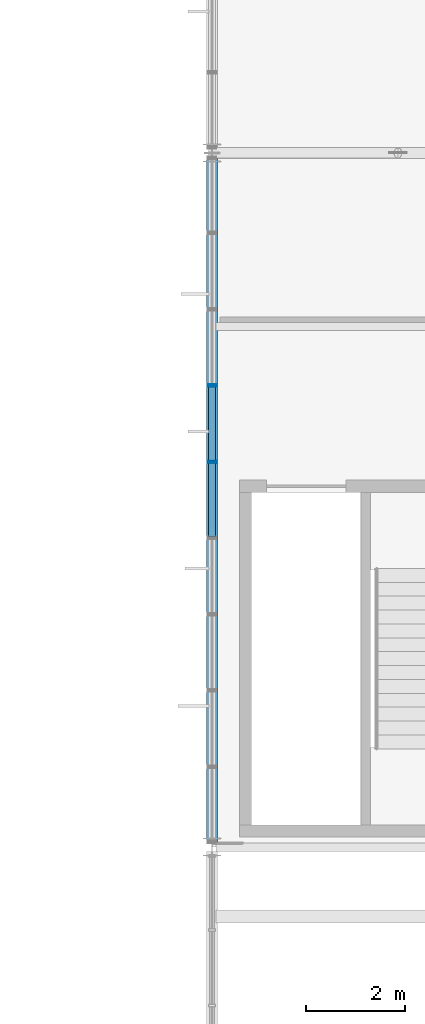
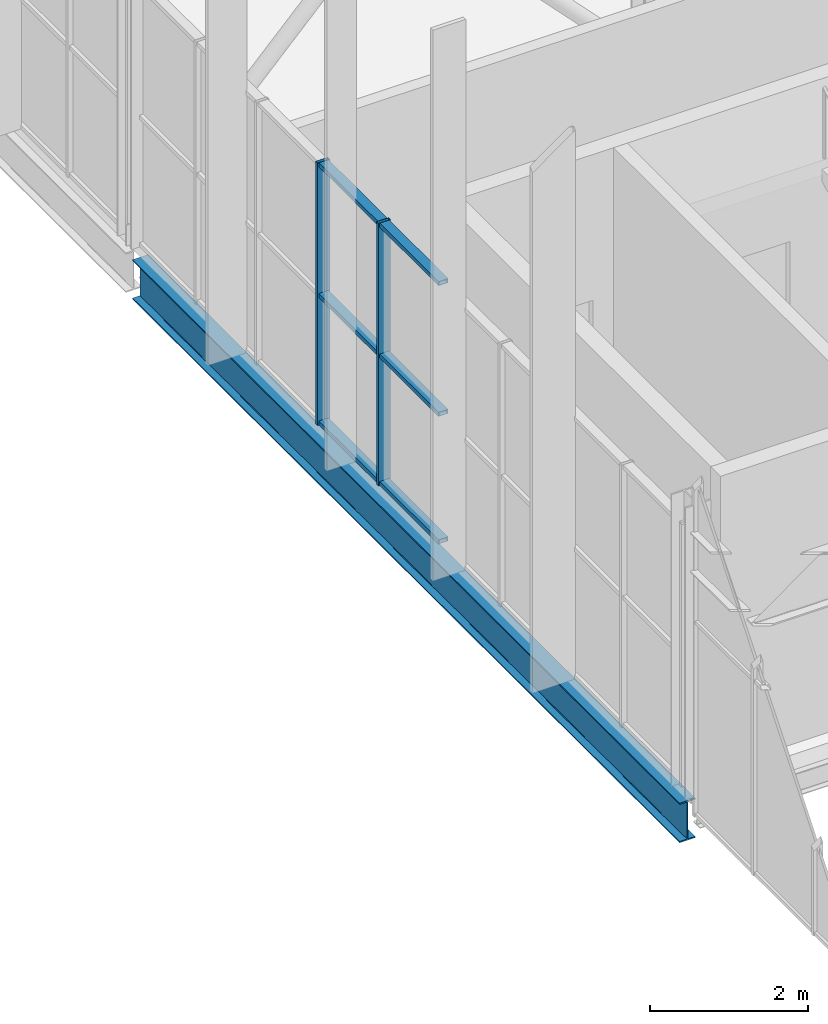
# One storey, part 75 of 324: 8 members, 1 beam, 1 element without a shape of its own.
"""IFC4 building model written with IfcOpenShell, lengths in metres."""

from ifc_helpers import new_model, si_unit, direction, frame, origin, origin_2d, place, context, subcontext, project, spatial, hollow_rectangle, i_section, extrude, material, layer, layer_set, material_profile, profile_set, type_object, element, aggregate, save


model = new_model("IFC4")

# Units and contexts
model_context = context("Model", 3, precision=1e-05, world=origin(), true_north=direction((0.0, 1.0)))
body_context = subcontext(model_context, "Body", "Model", "MODEL_VIEW")
ifc_project = project(units=[si_unit("LENGTHUNIT", "METRE"), si_unit("AREAUNIT", "SQUARE_METRE"), si_unit("VOLUMEUNIT", "CUBIC_METRE"), si_unit("PLANEANGLEUNIT", "RADIAN"), si_unit("MASSUNIT", "GRAM", prefix="KILO")], contexts=[model_context])

# Site, building, storey
site_placement = place(None, origin())
site = spatial("IfcSite", under=ifc_project, at=site_placement, CompositionType="ELEMENT")
building_placement = place(site_placement, origin())
building = spatial("IfcBuilding", under=site, at=building_placement, Name="Solvenia Promenade Tram Depot", CompositionType="ELEMENT")
storey_placement = place(building_placement, frame((0.0, 0.0, 4.5)))
storey = spatial("IfcBuildingStorey", under=building, at=storey_placement, Name="L01", CompositionType="ELEMENT", Elevation=4.5)

# Curtain wall, members
ifc_material_1 = material(Name="Anodized aluminium AW-6063 T6", Category="aluminium")
ifc_layer = layer(ifc_material_1, 0.14990234375, Name="Anodized aluminium AW-6063 T6", Category="aluminium")
ifc_layer_set = layer_set([ifc_layer], Name="Anodized aluminium AW-6063 T6")
curtain_wall_type = type_object("IfcCurtainWallType", Name="CW-Court-1500", PredefinedType="NOTDEFINED", material=ifc_layer_set)
curtain_wall_placement = place(storey_placement, origin())
curtain_wall = element("IfcCurtainWall", 1, at=curtain_wall_placement, inside=storey, type_object=curtain_wall_type, Name="Curtain Wall CW-V2W-L1-1", PredefinedType="NOTDEFINED")
ifc_material_profile_1 = material_profile(ifc_material_1, hollow_rectangle(XDim=0.179931640625, YDim=0.050048828125, WallThickness=0.00390625, at=origin_2d()), Name="ALU-M2", Category="aluminium")
ifc_profile_set_1 = profile_set([ifc_material_profile_1], Name="Anodized aluminium AW-6063 T6")
member_type_1 = type_object("IfcMemberType", Name="CWM-Mullion-2", PredefinedType="MULLION", material=ifc_profile_set_1)
member_1_placement = place(storey_placement, frame((105.0, 45.768798828125, 0.0), z_axis=(0.0, 0.0, 1.0), x_axis=(-1.0, 0.0, 0.0)))
member_1 = element("IfcMember", 2, at=member_1_placement, type_object=member_type_1, Name="CW-5 mullion 6", PredefinedType="MULLION", context=body_context, shape_type="SweptSolid", body=[
    extrude(hollow_rectangle(XDim=0.179931640625, YDim=0.050048828125, WallThickness=0.00390625, at=origin_2d()), origin(), (0.0, 0.0, 1.0), 4.050048828125),
])
member_2_placement = place(storey_placement, frame((105.0, 47.306640625, 0.0), z_axis=(0.0, 0.0, 1.0), x_axis=(-1.0, 0.0, 0.0)))
member_2 = element("IfcMember", 3, at=member_2_placement, type_object=member_type_1, Name="CW-5 mullion 7", PredefinedType="MULLION", context=body_context, shape_type="SweptSolid", body=[
    extrude(hollow_rectangle(XDim=0.179931640625, YDim=0.050048828125, WallThickness=0.00390625, at=origin_2d()), origin(), (0.0, 0.0, 1.0), 4.050048828125),
])
ifc_material_profile_2 = material_profile(ifc_material_1, hollow_rectangle(XDim=0.139892578125, YDim=0.06494140625, WallThickness=0.00390625, at=origin_2d()), Name="ALU-T2", Category="aluminium")
ifc_profile_set_2 = profile_set([ifc_material_profile_2], Name="Anodized aluminium AW-6063 T6")
member_type_2 = type_object("IfcMemberType", Name="CWT-Transom-2", PredefinedType="USERDEFINED", material=ifc_profile_set_2)
member_3_placement = place(storey_placement, frame((105.0, 44.256103515625, 0.032470703125), z_axis=(0.0, 1.0, 0.0), x_axis=(-1.0, 0.0, 0.0)))
member_3 = element("IfcMember", 4, at=member_3_placement, type_object=member_type_2, Name="CW-5 transom 5.1", ObjectType="TRANSOM", PredefinedType="USERDEFINED", context=body_context, shape_type="SweptSolid", body=[
    extrude(hollow_rectangle(XDim=0.139892578125, YDim=0.06494140625, WallThickness=0.00390625, at=origin_2d()), origin(), (0.0, 0.0, 1.0), 1.48779296875),
])
member_4_placement = place(storey_placement, frame((105.0, 44.256103515625, 2.0), z_axis=(0.0, 1.0, 0.0), x_axis=(-1.0, 0.0, 0.0)))
member_4 = element("IfcMember", 5, at=member_4_placement, type_object=member_type_2, Name="CW-5 transom 5.2", ObjectType="TRANSOM", PredefinedType="USERDEFINED", context=body_context, shape_type="SweptSolid", body=[
    extrude(hollow_rectangle(XDim=0.139892578125, YDim=0.06494140625, WallThickness=0.00390625, at=origin_2d()), origin(), (0.0, 0.0, 1.0), 1.48779296875),
])
member_5_placement = place(storey_placement, frame((105.0, 44.256103515625, 4.017578125), z_axis=(0.0, 1.0, 0.0), x_axis=(-1.0, 0.0, 0.0)))
member_5 = element("IfcMember", 6, at=member_5_placement, type_object=member_type_2, Name="CW-5 transom 5.3", ObjectType="TRANSOM", PredefinedType="USERDEFINED", context=body_context, shape_type="SweptSolid", body=[
    extrude(hollow_rectangle(XDim=0.139892578125, YDim=0.06494140625, WallThickness=0.00390625, at=origin_2d()), origin(), (0.0, 0.0, 1.0), 1.48779296875),
])
member_6_placement = place(storey_placement, frame((105.0, 45.7939453125, 0.032470703125), z_axis=(0.0, 1.0, 0.0), x_axis=(-1.0, 0.0, 0.0)))
member_6 = element("IfcMember", 7, at=member_6_placement, type_object=member_type_2, Name="CW-5 transom 6.1", ObjectType="TRANSOM", PredefinedType="USERDEFINED", context=body_context, shape_type="SweptSolid", body=[
    extrude(hollow_rectangle(XDim=0.139892578125, YDim=0.06494140625, WallThickness=0.00390625, at=origin_2d()), origin(), (0.0, 0.0, 1.0), 1.48779296875),
])
member_7_placement = place(storey_placement, frame((105.0, 45.7939453125, 2.0), z_axis=(0.0, 1.0, 0.0), x_axis=(-1.0, 0.0, 0.0)))
member_7 = element("IfcMember", 8, at=member_7_placement, type_object=member_type_2, Name="CW-5 transom 6.2", ObjectType="TRANSOM", PredefinedType="USERDEFINED", context=body_context, shape_type="SweptSolid", body=[
    extrude(hollow_rectangle(XDim=0.139892578125, YDim=0.06494140625, WallThickness=0.00390625, at=origin_2d()), origin(), (0.0, 0.0, 1.0), 1.48779296875),
])
member_8_placement = place(storey_placement, frame((105.0, 45.7939453125, 4.017578125), z_axis=(0.0, 1.0, 0.0), x_axis=(-1.0, 0.0, 0.0)))
member_8 = element("IfcMember", 9, at=member_8_placement, type_object=member_type_2, Name="CW-5 transom 6.3", ObjectType="TRANSOM", PredefinedType="USERDEFINED", context=body_context, shape_type="SweptSolid", body=[
    extrude(hollow_rectangle(XDim=0.139892578125, YDim=0.06494140625, WallThickness=0.00390625, at=origin_2d()), origin(), (0.0, 0.0, 1.0), 1.48779296875),
])
aggregate(curtain_wall, [member_1, member_2, member_3, member_4, member_5, member_6, member_7, member_8])

# Beam
ifc_material_2 = material(Name="Structural steel ASTM A992 Gr. 50", Category="steel")
ifc_material_profile_3 = material_profile(ifc_material_2, i_section(OverallWidth=0.22900390625, OverallDepth=0.612060546875, WebThickness=0.011962890625, FlangeThickness=0.01953125, FilletRadius=0.014892578125, at=origin_2d()), Name="W610x125", Category="steel")
ifc_profile_set_3 = profile_set([ifc_material_profile_3], Name="Structural steel ASTM A992 Gr. 50")
beam_type = type_object("IfcBeamType", Name="Gird-W610x125", PredefinedType="BEAM", material=ifc_profile_set_3)
beam_placement = place(storey_placement, frame((105.0, 38.0849609375, -0.5458984375), z_axis=(0.0, 1.0, 0.0), x_axis=(-1.0, 0.0, 0.0)))
element("IfcBeam", 10, at=beam_placement, inside=storey, type_object=beam_type, Name="Transverse Girder BM-L01-0141", PredefinedType="BEAM", context=body_context, shape_type="SweptSolid", body=[
    extrude(i_section(OverallWidth=0.22900390625, OverallDepth=0.612060546875, WebThickness=0.011962890625, FlangeThickness=0.01953125, FilletRadius=0.014892578125, at=origin_2d()), origin(), (0.0, 0.0, 1.0), 13.830078125),
])

save(model, "model.ifc")
